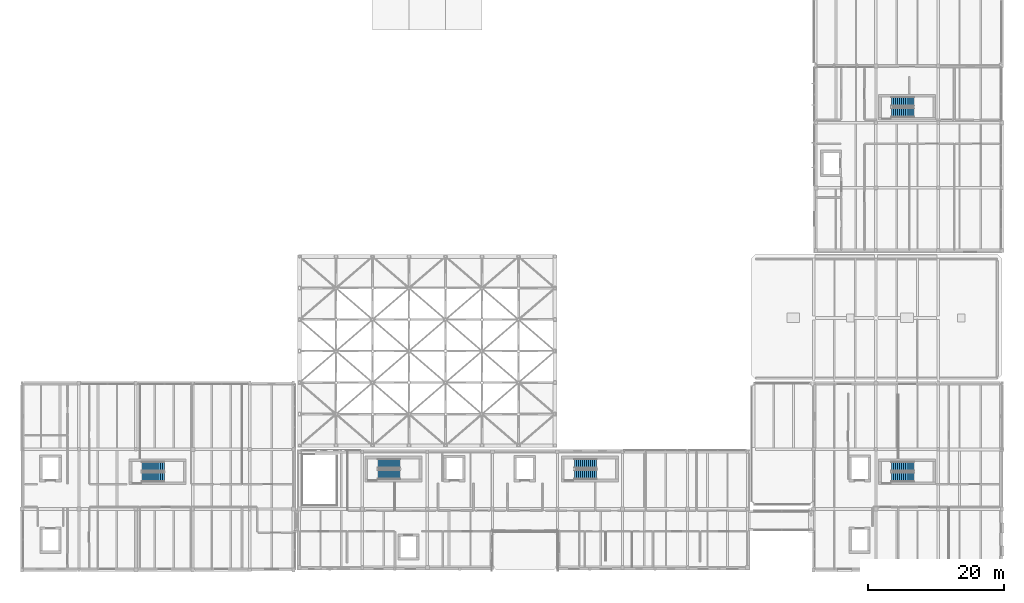
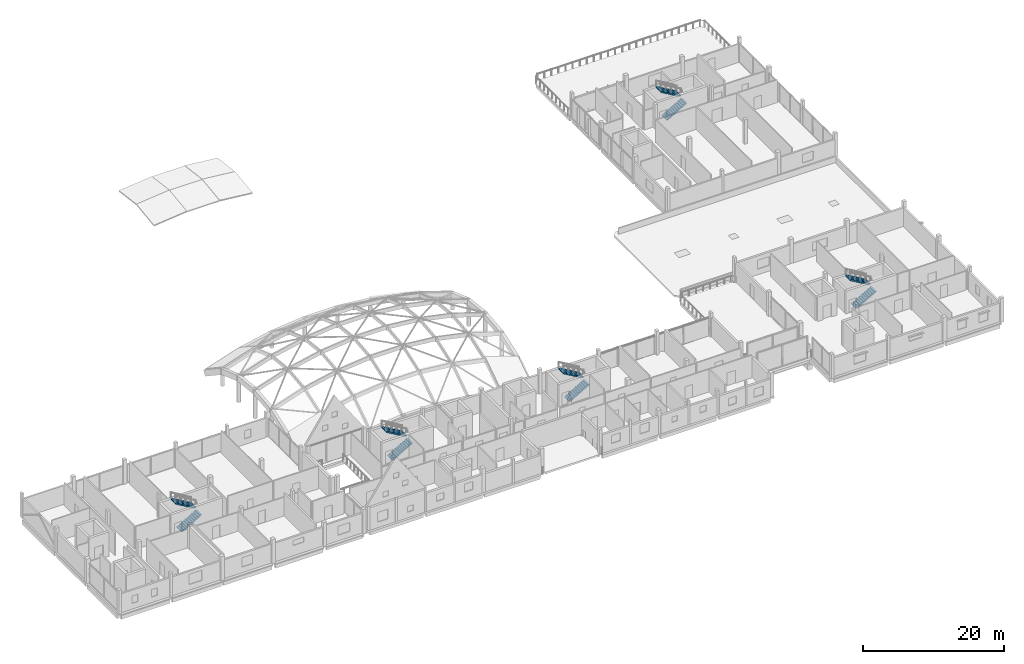
# One storey, part 30 of 41: 10 stair flights, 5 elements without a shape of their own.
"""IFC4 building model written with IfcOpenShell, lengths in metres."""

from ifc_helpers import new_model, si_unit, direction, frame, origin, place, context, subcontext, project, spatial, polyline, outline, extrude, material, type_object, element, aggregate, save


model = new_model("IFC4")

# Units and contexts
model_context = context("Model", 3, precision=1e-05, world=origin(), true_north=direction((0.0, 1.0)))
body_context = subcontext(model_context, "Body", "Model", "MODEL_VIEW")
ifc_project = project(units=[si_unit("LENGTHUNIT", "METRE"), si_unit("AREAUNIT", "SQUARE_METRE"), si_unit("VOLUMEUNIT", "CUBIC_METRE"), si_unit("PLANEANGLEUNIT", "RADIAN"), si_unit("MASSUNIT", "GRAM", prefix="KILO")], contexts=[model_context])

# Site, building, storey
site_placement = place(None, origin())
site = spatial("IfcSite", under=ifc_project, at=site_placement, CompositionType="ELEMENT")
building_placement = place(site_placement, origin())
building = spatial("IfcBuilding", under=site, at=building_placement, Name="Birchvale Park Specialist Clinic", CompositionType="ELEMENT")
storey_placement = place(building_placement, frame((0.0, 0.0, 9.60009765625)))
storey = spatial("IfcBuildingStorey", under=building, at=storey_placement, Name="L02", CompositionType="ELEMENT", Elevation=9.60009765625)

# Stair, stair flights
ifc_material = material(Name="Concrete C35/45", Category="concrete")
stair_type = type_object("IfcStairType", Name="ST-H42", PredefinedType="HALF_TURN_STAIR", material=ifc_material)
stair_1_placement = place(storey_placement, origin())
stair_1 = element("IfcStair", 1, at=stair_1_placement, inside=storey, type_object=stair_type, Name="L02 Protected exit stair ST2", PredefinedType="HALF_TURN_STAIR")
stair_flight_type = type_object("IfcStairFlightType", Name="FLT-ST-H42", PredefinedType="STRAIGHT", material=ifc_material)
stair_flight_1_placement = place(storey_placement, frame((28.89990234375, 30.5, 0.0), z_axis=(0.0, 0.0, 1.0), x_axis=(1.0, 0.0, 0.0)))
stair_flight_1 = element("IfcStairFlight", 2, at=stair_flight_1_placement, type_object=stair_flight_type, Name="ST2 flight 1", NumberOfRisers=12, NumberOfTreads=11, PredefinedType="STRAIGHT", RiserHeight=0.175, TreadLength=0.3, context=body_context, shape_type="SweptSolid", body=[
    extrude(outline(polyline([(0.0, 0.0), (0.0, 0.175048828125), (0.300048828125, 0.175048828125), (0.300048828125, 0.35009765625), (0.60009765625, 0.35009765625), (0.60009765625, 0.52490234375), (0.89990234375, 0.52490234375), (0.89990234375, 0.699951171875), (1.199951171875, 0.699951171875), (1.199951171875, 0.875), (1.5, 0.875), (1.5, 1.050048828125), (1.800048828125, 1.050048828125), (1.800048828125, 1.22509765625), (2.10009765625, 1.22509765625), (2.10009765625, 1.39990234375), (2.39990234375, 1.39990234375), (2.39990234375, 1.574951171875), (2.699951171875, 1.574951171875), (2.699951171875, 1.75), (3.0, 1.75), (3.0, 1.925048828125), (3.300048828125, 1.925048828125), (3.300048828125, 2.10009765625), (3.300048828125, 1.739990234375), (0.3173828125, 0.0), (0.0, 0.0)])), frame((0.0, 0.699951171875, 0.0), z_axis=(0.0, -1.0, 0.0), x_axis=(1.0, 0.0, 0.0)), (0.0, 0.0, 1.0), 1.39990234375),
])
stair_flight_2_placement = place(storey_placement, frame((32.199951171875, 32.10009765625, 2.099853515625), z_axis=(0.0, 0.0, 1.0), x_axis=(-1.0, 0.0, 0.0)))
stair_flight_2 = element("IfcStairFlight", 3, at=stair_flight_2_placement, type_object=stair_flight_type, Name="ST2 flight 2", NumberOfRisers=12, NumberOfTreads=11, PredefinedType="STRAIGHT", RiserHeight=0.175, TreadLength=0.3, context=body_context, shape_type="SweptSolid", body=[
    extrude(outline(polyline([(0.0, 0.0), (0.0, 0.175048828125), (0.300048828125, 0.175048828125), (0.300048828125, 0.35009765625), (0.60009765625, 0.35009765625), (0.60009765625, 0.52490234375), (0.89990234375, 0.52490234375), (0.89990234375, 0.699951171875), (1.199951171875, 0.699951171875), (1.199951171875, 0.875), (1.5, 0.875), (1.5, 1.050048828125), (1.800048828125, 1.050048828125), (1.800048828125, 1.22509765625), (2.10009765625, 1.22509765625), (2.10009765625, 1.39990234375), (2.39990234375, 1.39990234375), (2.39990234375, 1.574951171875), (2.699951171875, 1.574951171875), (2.699951171875, 1.75), (3.0, 1.75), (3.0, 1.925048828125), (3.300048828125, 1.925048828125), (3.300048828125, 2.10009765625), (3.300048828125, 1.739990234375), (0.3173828125, 0.0), (0.0, 0.0)])), frame((0.0, 0.699951171875, 0.0), z_axis=(0.0, -1.0, 0.0), x_axis=(1.0, 0.0, 0.0)), (0.0, 0.0, 1.0), 1.39990234375),
])
aggregate(stair_1, [stair_flight_1, stair_flight_2])

stair_2_placement = place(storey_placement, origin())
stair_2 = element("IfcStair", 4, at=stair_2_placement, inside=storey, type_object=stair_type, Name="L02 Protected exit stair ST3", PredefinedType="HALF_TURN_STAIR")
stair_flight_3_placement = place(storey_placement, frame((139.5, 84.300048828125, 0.0), z_axis=(0.0, 0.0, 1.0), x_axis=(1.0, 0.0, 0.0)))
stair_flight_3 = element("IfcStairFlight", 5, at=stair_flight_3_placement, type_object=stair_flight_type, Name="ST3 flight 1", NumberOfRisers=12, NumberOfTreads=11, PredefinedType="STRAIGHT", RiserHeight=0.175, TreadLength=0.3, context=body_context, shape_type="SweptSolid", body=[
    extrude(outline(polyline([(0.0, 0.0), (0.0, 0.175048828125), (0.300048828125, 0.175048828125), (0.300048828125, 0.35009765625), (0.60009765625, 0.35009765625), (0.60009765625, 0.52490234375), (0.89990234375, 0.52490234375), (0.89990234375, 0.699951171875), (1.199951171875, 0.699951171875), (1.199951171875, 0.875), (1.5, 0.875), (1.5, 1.050048828125), (1.800048828125, 1.050048828125), (1.800048828125, 1.22509765625), (2.10009765625, 1.22509765625), (2.10009765625, 1.39990234375), (2.39990234375, 1.39990234375), (2.39990234375, 1.574951171875), (2.699951171875, 1.574951171875), (2.699951171875, 1.75), (3.0, 1.75), (3.0, 1.925048828125), (3.300048828125, 1.925048828125), (3.300048828125, 2.10009765625), (3.300048828125, 1.739990234375), (0.3173828125, 0.0), (0.0, 0.0)])), frame((0.0, 0.699951171875, 0.0), z_axis=(0.0, -1.0, 0.0), x_axis=(1.0, 0.0, 0.0)), (0.0, 0.0, 1.0), 1.39990234375),
])
stair_flight_4_placement = place(storey_placement, frame((142.800048828125, 85.89990234375, 2.099853515625), z_axis=(0.0, 0.0, 1.0), x_axis=(-1.0, 0.0, 0.0)))
stair_flight_4 = element("IfcStairFlight", 6, at=stair_flight_4_placement, type_object=stair_flight_type, Name="ST3 flight 2", NumberOfRisers=12, NumberOfTreads=11, PredefinedType="STRAIGHT", RiserHeight=0.175, TreadLength=0.3, context=body_context, shape_type="SweptSolid", body=[
    extrude(outline(polyline([(0.0, 0.0), (0.0, 0.175048828125), (0.300048828125, 0.175048828125), (0.300048828125, 0.35009765625), (0.60009765625, 0.35009765625), (0.60009765625, 0.52490234375), (0.89990234375, 0.52490234375), (0.89990234375, 0.699951171875), (1.199951171875, 0.699951171875), (1.199951171875, 0.875), (1.5, 0.875), (1.5, 1.050048828125), (1.800048828125, 1.050048828125), (1.800048828125, 1.22509765625), (2.10009765625, 1.22509765625), (2.10009765625, 1.39990234375), (2.39990234375, 1.39990234375), (2.39990234375, 1.574951171875), (2.699951171875, 1.574951171875), (2.699951171875, 1.75), (3.0, 1.75), (3.0, 1.925048828125), (3.300048828125, 1.925048828125), (3.300048828125, 2.10009765625), (3.300048828125, 1.739990234375), (0.3173828125, 0.0), (0.0, 0.0)])), frame((0.0, 0.699951171875, 0.0), z_axis=(0.0, -1.0, 0.0), x_axis=(1.0, 0.0, 0.0)), (0.0, 0.0, 1.0), 1.39990234375),
])
aggregate(stair_2, [stair_flight_3, stair_flight_4])

stair_3_placement = place(storey_placement, origin())
stair_3 = element("IfcStair", 7, at=stair_3_placement, inside=storey, type_object=stair_type, Name="L02 Protected exit stair ST4", PredefinedType="HALF_TURN_STAIR")
stair_flight_5_placement = place(storey_placement, frame((63.699951171875, 30.89990234375, 0.0), z_axis=(0.0, 0.0, 1.0), x_axis=(1.0, 0.0, 0.0)))
stair_flight_5 = element("IfcStairFlight", 8, at=stair_flight_5_placement, type_object=stair_flight_type, Name="ST4 flight 1", NumberOfRisers=12, NumberOfTreads=11, PredefinedType="STRAIGHT", RiserHeight=0.175, TreadLength=0.3, context=body_context, shape_type="SweptSolid", body=[
    extrude(outline(polyline([(0.0, 0.0), (0.0, 0.175048828125), (0.300048828125, 0.175048828125), (0.300048828125, 0.35009765625), (0.60009765625, 0.35009765625), (0.60009765625, 0.52490234375), (0.89990234375, 0.52490234375), (0.89990234375, 0.699951171875), (1.199951171875, 0.699951171875), (1.199951171875, 0.875), (1.5, 0.875), (1.5, 1.050048828125), (1.800048828125, 1.050048828125), (1.800048828125, 1.22509765625), (2.10009765625, 1.22509765625), (2.10009765625, 1.39990234375), (2.39990234375, 1.39990234375), (2.39990234375, 1.574951171875), (2.699951171875, 1.574951171875), (2.699951171875, 1.75), (3.0, 1.75), (3.0, 1.925048828125), (3.300048828125, 1.925048828125), (3.300048828125, 2.10009765625), (3.300048828125, 1.739990234375), (0.3173828125, 0.0), (0.0, 0.0)])), frame((0.0, 0.699951171875, 0.0), z_axis=(0.0, -1.0, 0.0), x_axis=(1.0, 0.0, 0.0)), (0.0, 0.0, 1.0), 1.39990234375),
])
stair_flight_6_placement = place(storey_placement, frame((67.0, 32.5, 2.099853515625), z_axis=(0.0, 0.0, 1.0), x_axis=(-1.0, 0.0, 0.0)))
stair_flight_6 = element("IfcStairFlight", 9, at=stair_flight_6_placement, type_object=stair_flight_type, Name="ST4 flight 2", NumberOfRisers=12, NumberOfTreads=11, PredefinedType="STRAIGHT", RiserHeight=0.175, TreadLength=0.3, context=body_context, shape_type="SweptSolid", body=[
    extrude(outline(polyline([(0.0, 0.0), (0.0, 0.175048828125), (0.300048828125, 0.175048828125), (0.300048828125, 0.35009765625), (0.60009765625, 0.35009765625), (0.60009765625, 0.52490234375), (0.89990234375, 0.52490234375), (0.89990234375, 0.699951171875), (1.199951171875, 0.699951171875), (1.199951171875, 0.875), (1.5, 0.875), (1.5, 1.050048828125), (1.800048828125, 1.050048828125), (1.800048828125, 1.22509765625), (2.10009765625, 1.22509765625), (2.10009765625, 1.39990234375), (2.39990234375, 1.39990234375), (2.39990234375, 1.574951171875), (2.699951171875, 1.574951171875), (2.699951171875, 1.75), (3.0, 1.75), (3.0, 1.925048828125), (3.300048828125, 1.925048828125), (3.300048828125, 2.10009765625), (3.300048828125, 1.739990234375), (0.3173828125, 0.0), (0.0, 0.0)])), frame((0.0, 0.699951171875, 0.0), z_axis=(0.0, -1.0, 0.0), x_axis=(1.0, 0.0, 0.0)), (0.0, 0.0, 1.0), 1.39990234375),
])
aggregate(stair_3, [stair_flight_5, stair_flight_6])

stair_4_placement = place(storey_placement, origin())
stair_4 = element("IfcStair", 10, at=stair_4_placement, inside=storey, type_object=stair_type, Name="L02 Protected exit stair ST5", PredefinedType="HALF_TURN_STAIR")
stair_flight_7_placement = place(storey_placement, frame((92.699951171875, 30.89990234375, 0.0), z_axis=(0.0, 0.0, 1.0), x_axis=(1.0, 0.0, 0.0)))
stair_flight_7 = element("IfcStairFlight", 11, at=stair_flight_7_placement, type_object=stair_flight_type, Name="ST5 flight 1", NumberOfRisers=12, NumberOfTreads=11, PredefinedType="STRAIGHT", RiserHeight=0.175, TreadLength=0.3, context=body_context, shape_type="SweptSolid", body=[
    extrude(outline(polyline([(0.0, 0.0), (0.0, 0.175048828125), (0.300048828125, 0.175048828125), (0.300048828125, 0.35009765625), (0.60009765625, 0.35009765625), (0.60009765625, 0.52490234375), (0.89990234375, 0.52490234375), (0.89990234375, 0.699951171875), (1.199951171875, 0.699951171875), (1.199951171875, 0.875), (1.5, 0.875), (1.5, 1.050048828125), (1.800048828125, 1.050048828125), (1.800048828125, 1.22509765625), (2.10009765625, 1.22509765625), (2.10009765625, 1.39990234375), (2.39990234375, 1.39990234375), (2.39990234375, 1.574951171875), (2.699951171875, 1.574951171875), (2.699951171875, 1.75), (3.0, 1.75), (3.0, 1.925048828125), (3.300048828125, 1.925048828125), (3.300048828125, 2.10009765625), (3.300048828125, 1.739990234375), (0.3173828125, 0.0), (0.0, 0.0)])), frame((0.0, 0.699951171875, 0.0), z_axis=(0.0, -1.0, 0.0), x_axis=(1.0, 0.0, 0.0)), (0.0, 0.0, 1.0), 1.39990234375),
])
stair_flight_8_placement = place(storey_placement, frame((96.0, 32.5, 2.099853515625), z_axis=(0.0, 0.0, 1.0), x_axis=(-1.0, 0.0, 0.0)))
stair_flight_8 = element("IfcStairFlight", 12, at=stair_flight_8_placement, type_object=stair_flight_type, Name="ST5 flight 2", NumberOfRisers=12, NumberOfTreads=11, PredefinedType="STRAIGHT", RiserHeight=0.175, TreadLength=0.3, context=body_context, shape_type="SweptSolid", body=[
    extrude(outline(polyline([(0.0, 0.0), (0.0, 0.175048828125), (0.300048828125, 0.175048828125), (0.300048828125, 0.35009765625), (0.60009765625, 0.35009765625), (0.60009765625, 0.52490234375), (0.89990234375, 0.52490234375), (0.89990234375, 0.699951171875), (1.199951171875, 0.699951171875), (1.199951171875, 0.875), (1.5, 0.875), (1.5, 1.050048828125), (1.800048828125, 1.050048828125), (1.800048828125, 1.22509765625), (2.10009765625, 1.22509765625), (2.10009765625, 1.39990234375), (2.39990234375, 1.39990234375), (2.39990234375, 1.574951171875), (2.699951171875, 1.574951171875), (2.699951171875, 1.75), (3.0, 1.75), (3.0, 1.925048828125), (3.300048828125, 1.925048828125), (3.300048828125, 2.10009765625), (3.300048828125, 1.739990234375), (0.3173828125, 0.0), (0.0, 0.0)])), frame((0.0, 0.699951171875, 0.0), z_axis=(0.0, -1.0, 0.0), x_axis=(1.0, 0.0, 0.0)), (0.0, 0.0, 1.0), 1.39990234375),
])
aggregate(stair_4, [stair_flight_7, stair_flight_8])

stair_5_placement = place(storey_placement, origin())
stair_5 = element("IfcStair", 13, at=stair_5_placement, inside=storey, type_object=stair_type, Name="L02 Protected exit stair ST6", PredefinedType="HALF_TURN_STAIR")
stair_flight_9_placement = place(storey_placement, frame((139.5, 30.5, 0.0), z_axis=(0.0, 0.0, 1.0), x_axis=(1.0, 0.0, 0.0)))
stair_flight_9 = element("IfcStairFlight", 14, at=stair_flight_9_placement, type_object=stair_flight_type, Name="ST6 flight 1", NumberOfRisers=12, NumberOfTreads=11, PredefinedType="STRAIGHT", RiserHeight=0.175, TreadLength=0.3, context=body_context, shape_type="SweptSolid", body=[
    extrude(outline(polyline([(0.0, 0.0), (0.0, 0.175048828125), (0.300048828125, 0.175048828125), (0.300048828125, 0.35009765625), (0.60009765625, 0.35009765625), (0.60009765625, 0.52490234375), (0.89990234375, 0.52490234375), (0.89990234375, 0.699951171875), (1.199951171875, 0.699951171875), (1.199951171875, 0.875), (1.5, 0.875), (1.5, 1.050048828125), (1.800048828125, 1.050048828125), (1.800048828125, 1.22509765625), (2.10009765625, 1.22509765625), (2.10009765625, 1.39990234375), (2.39990234375, 1.39990234375), (2.39990234375, 1.574951171875), (2.699951171875, 1.574951171875), (2.699951171875, 1.75), (3.0, 1.75), (3.0, 1.925048828125), (3.300048828125, 1.925048828125), (3.300048828125, 2.10009765625), (3.300048828125, 1.739990234375), (0.3173828125, 0.0), (0.0, 0.0)])), frame((0.0, 0.699951171875, 0.0), z_axis=(0.0, -1.0, 0.0), x_axis=(1.0, 0.0, 0.0)), (0.0, 0.0, 1.0), 1.39990234375),
])
stair_flight_10_placement = place(storey_placement, frame((142.800048828125, 32.10009765625, 2.099853515625), z_axis=(0.0, 0.0, 1.0), x_axis=(-1.0, 0.0, 0.0)))
stair_flight_10 = element("IfcStairFlight", 15, at=stair_flight_10_placement, type_object=stair_flight_type, Name="ST6 flight 2", NumberOfRisers=12, NumberOfTreads=11, PredefinedType="STRAIGHT", RiserHeight=0.175, TreadLength=0.3, context=body_context, shape_type="SweptSolid", body=[
    extrude(outline(polyline([(0.0, 0.0), (0.0, 0.175048828125), (0.300048828125, 0.175048828125), (0.300048828125, 0.35009765625), (0.60009765625, 0.35009765625), (0.60009765625, 0.52490234375), (0.89990234375, 0.52490234375), (0.89990234375, 0.699951171875), (1.199951171875, 0.699951171875), (1.199951171875, 0.875), (1.5, 0.875), (1.5, 1.050048828125), (1.800048828125, 1.050048828125), (1.800048828125, 1.22509765625), (2.10009765625, 1.22509765625), (2.10009765625, 1.39990234375), (2.39990234375, 1.39990234375), (2.39990234375, 1.574951171875), (2.699951171875, 1.574951171875), (2.699951171875, 1.75), (3.0, 1.75), (3.0, 1.925048828125), (3.300048828125, 1.925048828125), (3.300048828125, 2.10009765625), (3.300048828125, 1.739990234375), (0.3173828125, 0.0), (0.0, 0.0)])), frame((0.0, 0.699951171875, 0.0), z_axis=(0.0, -1.0, 0.0), x_axis=(1.0, 0.0, 0.0)), (0.0, 0.0, 1.0), 1.39990234375),
])
aggregate(stair_5, [stair_flight_9, stair_flight_10])

save(model, "model.ifc")
